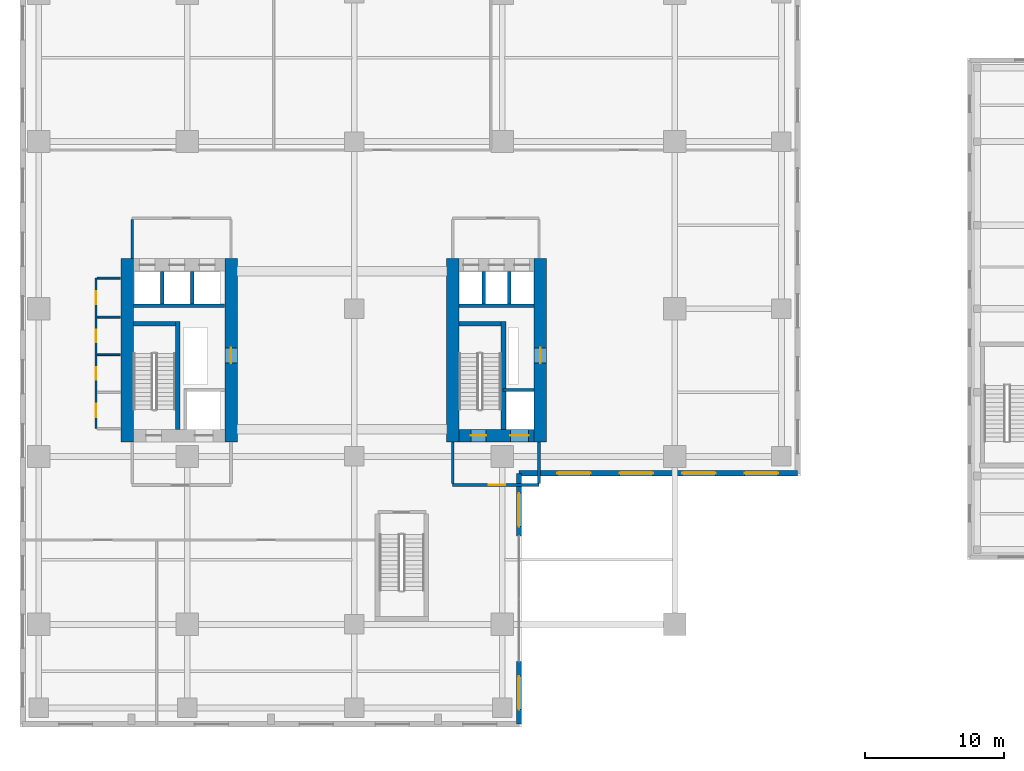
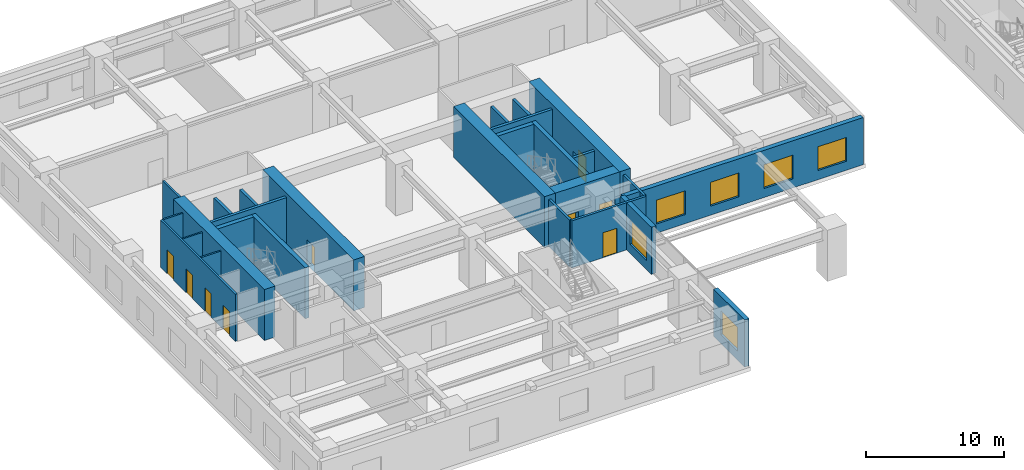
# One storey, part 20 of 26: 27 walls, 9 doors, 6 windows, 15 openings.
"""IFC4 building model written with IfcOpenShell, lengths in metres."""

from ifc_helpers import new_model, si_unit, direction, frame, frame_2d, origin, place, context, subcontext, project, spatial, rectangle, extrude, source, transform, mapped, material, layer, layer_set, type_object, element, fill, save


model = new_model("IFC4")

# Units and contexts
model_context = context("Model", 3, precision=1e-05, world=origin(), true_north=direction((0.0, 1.0)))
body_context = subcontext(model_context, "Body", "Model", "MODEL_VIEW")
ifc_project = project(units=[si_unit("LENGTHUNIT", "METRE"), si_unit("AREAUNIT", "SQUARE_METRE"), si_unit("VOLUMEUNIT", "CUBIC_METRE"), si_unit("PLANEANGLEUNIT", "RADIAN"), si_unit("MASSUNIT", "GRAM", prefix="KILO")], contexts=[model_context])

# Site, building, storey
site_placement = place(None, origin())
site = spatial("IfcSite", under=ifc_project, at=site_placement, CompositionType="ELEMENT")
building_placement = place(site_placement, origin())
building = spatial("IfcBuilding", under=site, at=building_placement, Name="Khoralis Quay Care Tower", CompositionType="ELEMENT")
storey_placement = place(building_placement, frame((0.0, 0.0, 13.5)))
storey = spatial("IfcBuildingStorey", under=building, at=storey_placement, Name="L03", CompositionType="ELEMENT", Elevation=13.5)

# Wall, opening, door
ifc_material_1 = material(Name="Gypsum plasterboard on acoustic metal stud")
ifc_layer_1 = layer(ifc_material_1, 0.199951171875)
ifc_layer_set_1 = layer_set([ifc_layer_1], Name="Gypsum plasterboard on acoustic metal stud")
wall_type_1 = type_object("IfcWallType", Name="WL-COMP-200", PredefinedType="PARTITIONING", material=ifc_layer_set_1)
wall_1_placement = place(storey_placement, frame((31.050048828125, 11.35009765625, 0.0), z_axis=(0.0, 0.0, 1.0), x_axis=(1.0, 0.0, 0.0)))
wall_1 = element("IfcWall", 1, at=wall_1_placement, inside=storey, type_object=wall_type_1, Name="L03 East Firefighting Lobby South Wall", PredefinedType="PARTITIONING", context=body_context, shape_type="SweptSolid", body=[
    extrude(rectangle(XDim=6.199951171875, YDim=0.199951171875, at=frame_2d((3.10009765625, 0.0))), origin(), (0.0, 0.0, 1.0), 4.159912109375),
])
opening_1_placement = place(wall_1_placement, frame((2.585693359375, 0.0, 0.0)))
opening_1 = element("IfcOpeningElement", 2, at=opening_1_placement, cuts=wall_1, Name="Opening FD1", PredefinedType="OPENING", context=body_context, shape_type="SweptSolid", body=[
    extrude(rectangle(XDim=1.199951171875, YDim=2.199951171875, at=frame_2d((0.60009765625, 1.10009765625))), frame((0.0, 0.10986328125, 0.0), z_axis=(0.0, -1.0, 0.0), x_axis=(1.0, 0.0, 0.0)), (0.0, 0.0, 1.0), 0.219970703125),
])
ifc_material_2 = material(Name="Fire-rated painted steel", Category="steel")
door_type_1 = type_object("IfcDoorType", Name="DR-FFL-1200X2200", OperationType="NOTDEFINED", PredefinedType="DOOR", material=ifc_material_2)
shared_shape_1 = source(origin(), body_context, "Body", "SweptSolid", [
    extrude(rectangle(XDim=1.199951171875, YDim=2.199951171875, at=frame_2d((0.60009765625, 1.10009765625))), frame((0.0, 0.02490234375, 0.0), z_axis=(0.0, -1.0, 0.0), x_axis=(1.0, 0.0, 0.0)), (0.0, 0.0, 1.0), 0.050048828125),
])
door_1_placement = place(opening_1_placement, origin())
door_1 = element("IfcDoor", 3, at=door_1_placement, inside=storey, type_object=door_type_1, Name="L03 East Firefighting Lobby Fire Door", OperationType="SINGLE_SWING_RIGHT", OverallHeight=2.199951171875, OverallWidth=1.199951171875, PredefinedType="DOOR", context=body_context, shape_type="MappedRepresentation", body=[
    mapped(shared_shape_1, transform((0.0, 0.0, 0.0), scale=1.0)),
])
fill(opening_1, door_1)

# Walls
for number, where, z_axis, x_axis, name in (
    (4, (31.050048828125, 11.445068359375, 0.0), (0.0, 0.0, 1.0), (0.0, 1.0, 0.0), "L03 East Firefighting Lobby West Wall"),
    (5, (37.25, 11.445068359375, 0.0), (0.0, 0.0, 1.0), (0.0, 1.0, 0.0), "L03 East Firefighting Lobby East Wall"),
):
    element("IfcWall", number, at=place(storey_placement, frame(where, z_axis=z_axis, x_axis=x_axis)), inside=storey, type_object=wall_type_1, Name=name, PredefinedType="PARTITIONING", context=body_context, shape_type="SweptSolid", body=[
        extrude(rectangle(XDim=2.98486328125, YDim=0.199951171875, at=frame_2d((1.492431640625, 0.0))), origin(), (0.0, 0.0, 1.0), 4.159912109375),
    ])
ifc_material_3 = material(Name="Concrete C80/95", Category="concrete")
ifc_layer_2 = layer(ifc_material_3, 0.89990234375)
ifc_layer_set_2 = layer_set([ifc_layer_2], Name="Concrete C80/95")
wall_type_2 = type_object("IfcWallType", Name="WL-CORE-900", PredefinedType="SHEAR", material=ifc_layer_set_2)
wall_2_placement = place(storey_placement, frame((7.699951171875, 14.449951171875, 0.0), z_axis=(0.0, 0.0, 1.0), x_axis=(0.0, 1.0, 0.0)))
element("IfcWall", 6, at=wall_2_placement, inside=storey, type_object=wall_type_2, Name="L03 WCORE West Shear Wall", PredefinedType="SHEAR", context=body_context, shape_type="SweptSolid", body=[
    extrude(rectangle(XDim=13.150146484375, YDim=0.89990234375, at=frame_2d((6.5751953125, 0.0))), origin(), (0.0, 0.0, 1.0), 4.5),
])

# Wall, opening, door
wall_3_placement = place(storey_placement, frame((15.14990234375, 14.449951171875, 0.0), z_axis=(0.0, 0.0, 1.0), x_axis=(0.0, 1.0, 0.0)))
wall_3 = element("IfcWall", 7, at=wall_3_placement, inside=storey, type_object=wall_type_2, Name="L03 WCORE East Shear Wall", PredefinedType="SHEAR", context=body_context, shape_type="SweptSolid", body=[
    extrude(rectangle(XDim=13.150146484375, YDim=0.89990234375, at=frame_2d((6.5751953125, 0.0))), origin(), (0.0, 0.0, 1.0), 4.5),
])
opening_2_placement = place(wall_3_placement, frame((5.64990234375, 0.0, 0.0)))
opening_2 = element("IfcOpeningElement", 8, at=opening_2_placement, cuts=wall_3, Name="Opening SD1", PredefinedType="OPENING", context=body_context, shape_type="SweptSolid", body=[
    extrude(rectangle(XDim=1.10009765625, YDim=2.199951171875, at=frame_2d((0.550048828125, 1.10009765625))), frame((0.0, 0.4599609375, 0.0), z_axis=(0.0, -1.0, 0.0), x_axis=(1.0, 0.0, 0.0)), (0.0, 0.0, 1.0), 0.919921875),
])
door_type_2 = type_object("IfcDoorType", Name="DR-STAIR-1100X2200", OperationType="NOTDEFINED", PredefinedType="DOOR", material=ifc_material_2)
shared_shape_2 = source(origin(), body_context, "Body", "SweptSolid", [
    extrude(rectangle(XDim=1.10009765625, YDim=2.199951171875, at=frame_2d((0.550048828125, 1.10009765625))), frame((0.0, 0.02490234375, 0.0), z_axis=(0.0, -1.0, 0.0), x_axis=(1.0, 0.0, 0.0)), (0.0, 0.0, 1.0), 0.050048828125),
])
door_2_placement = place(opening_2_placement, origin())
door_2 = element("IfcDoor", 9, at=door_2_placement, inside=storey, type_object=door_type_2, Name="L03 West MEP Riser Door", OperationType="SINGLE_SWING_LEFT", OverallHeight=2.199951171875, OverallWidth=1.10009765625, PredefinedType="DOOR", context=body_context, shape_type="MappedRepresentation", body=[
    mapped(shared_shape_2, transform((0.0, 0.0, 0.0), scale=1.0)),
])
fill(opening_2, door_2)

# Wall
wall_4_placement = place(storey_placement, frame((31.070068359375, 14.449951171875, 0.0), z_axis=(0.0, 0.0, 1.0), x_axis=(0.0, 1.0, 0.0)))
element("IfcWall", 10, at=wall_4_placement, inside=storey, type_object=wall_type_2, Name="L03 ECORE West Shear Wall", PredefinedType="SHEAR", context=body_context, shape_type="SweptSolid", body=[
    extrude(rectangle(XDim=13.150146484375, YDim=0.89990234375, at=frame_2d((6.5751953125, 0.0))), origin(), (0.0, 0.0, 1.0), 4.5),
])

# Wall, opening, door
wall_5_placement = place(storey_placement, frame((37.35009765625, 14.449951171875, 0.0), z_axis=(0.0, 0.0, 1.0), x_axis=(0.0, 1.0, 0.0)))
wall_5 = element("IfcWall", 11, at=wall_5_placement, inside=storey, type_object=wall_type_2, Name="L03 ECORE East Shear Wall", PredefinedType="SHEAR", context=body_context, shape_type="SweptSolid", body=[
    extrude(rectangle(XDim=13.150146484375, YDim=0.89990234375, at=frame_2d((6.5751953125, 0.0))), origin(), (0.0, 0.0, 1.0), 4.5),
])
opening_3_placement = place(wall_5_placement, frame((5.64990234375, 0.0, 0.0)))
opening_3 = element("IfcOpeningElement", 12, at=opening_3_placement, cuts=wall_5, Name="Opening SD1", PredefinedType="OPENING", context=body_context, shape_type="SweptSolid", body=[
    extrude(rectangle(XDim=1.10009765625, YDim=2.199951171875, at=frame_2d((0.550048828125, 1.10009765625))), frame((0.0, 0.4599609375, 0.0), z_axis=(0.0, -1.0, 0.0), x_axis=(1.0, 0.0, 0.0)), (0.0, 0.0, 1.0), 0.919921875),
])
door_3_placement = place(opening_3_placement, frame((1.10009765625, 0.0, 0.0), z_axis=(0.0, 0.0, 1.0), x_axis=(-1.0, 0.0, 0.0)))
door_3 = element("IfcDoor", 13, at=door_3_placement, inside=storey, type_object=door_type_2, Name="L03 East MEP Riser Door", OperationType="SINGLE_SWING_RIGHT", OverallHeight=2.199951171875, OverallWidth=1.10009765625, PredefinedType="DOOR", context=body_context, shape_type="MappedRepresentation", body=[
    mapped(shared_shape_2, transform((0.0, 0.0, 0.0), scale=1.0)),
])
fill(opening_3, door_3)

# Wall, openings, doors
wall_6_placement = place(storey_placement, frame((31.52001953125, 14.89990234375, 0.0), z_axis=(0.0, 0.0, 1.0), x_axis=(1.0, 0.0, 0.0)))
wall_6 = element("IfcWall", 14, at=wall_6_placement, inside=storey, type_object=wall_type_2, Name="L03 ECORE South Shear Wall", PredefinedType="SHEAR", context=body_context, shape_type="SweptSolid", body=[
    extrude(rectangle(XDim=5.3798828125, YDim=0.89990234375, at=frame_2d((2.68994140625, 0.0))), origin(), (0.0, 0.0, 1.0), 4.5),
])
opening_4_placement = place(wall_6_placement, frame((0.830078125, 0.0, 0.0)))
opening_4 = element("IfcOpeningElement", 15, at=opening_4_placement, cuts=wall_6, Name="Opening SD1", PredefinedType="OPENING", context=body_context, shape_type="SweptSolid", body=[
    extrude(rectangle(XDim=1.10009765625, YDim=2.199951171875, at=frame_2d((0.550048828125, 1.10009765625))), frame((0.0, 0.4599609375, 0.0), z_axis=(0.0, -1.0, 0.0), x_axis=(1.0, 0.0, 0.0)), (0.0, 0.0, 1.0), 0.919921875),
])
opening_5_placement = place(wall_6_placement, frame((3.679931640625, 0.0, 0.0)))
opening_5 = element("IfcOpeningElement", 16, at=opening_5_placement, cuts=wall_6, Name="Opening LD2", PredefinedType="OPENING", context=body_context, shape_type="SweptSolid", body=[
    extrude(rectangle(XDim=1.300048828125, YDim=2.199951171875, at=frame_2d((0.64990234375, 1.10009765625))), frame((0.0, 0.4599609375, 0.0), z_axis=(0.0, -1.0, 0.0), x_axis=(1.0, 0.0, 0.0)), (0.0, 0.0, 1.0), 0.919921875),
])
door_4_placement = place(opening_4_placement, origin())
door_4 = element("IfcDoor", 17, at=door_4_placement, inside=storey, type_object=door_type_2, Name="L03 Stair ST-T2 Fire Door", OperationType="SINGLE_SWING_RIGHT", OverallHeight=2.199951171875, OverallWidth=1.10009765625, PredefinedType="DOOR", context=body_context, shape_type="MappedRepresentation", body=[
    mapped(shared_shape_2, transform((0.0, 0.0, 0.0), scale=1.0)),
])
fill(opening_4, door_4)
ifc_material_4 = material(Name="Brushed stainless steel", Category="steel")
door_type_3 = type_object("IfcDoorType", Name="DR-LIFT-1300X2200", OperationType="SLIDING_TO_RIGHT", PredefinedType="DOOR", material=ifc_material_4)
shared_shape_3 = source(origin(), body_context, "Body", "SweptSolid", [
    extrude(rectangle(XDim=1.300048828125, YDim=2.199951171875, at=frame_2d((0.64990234375, 1.10009765625))), frame((0.0, 0.02490234375, 0.0), z_axis=(0.0, -1.0, 0.0), x_axis=(1.0, 0.0, 0.0)), (0.0, 0.0, 1.0), 0.050048828125),
])
door_5_placement = place(opening_5_placement, origin())
door_5 = element("IfcDoor", 18, at=door_5_placement, inside=storey, type_object=door_type_3, Name="L03 Firefighting Lift FFL-2 Landing Door", OperationType="SLIDING_TO_RIGHT", OverallHeight=2.199951171875, OverallWidth=1.300048828125, PredefinedType="DOOR", context=body_context, shape_type="MappedRepresentation", body=[
    mapped(shared_shape_3, transform((0.0, 0.0, 0.0), scale=1.0)),
])
fill(opening_5, door_5)

# Wall
ifc_layer_3 = layer(ifc_material_1, 0.1650390625)
ifc_layer_set_3 = layer_set([ifc_layer_3], Name="Gypsum plasterboard on acoustic metal stud")
wall_type_3 = type_object("IfcWallType", Name="WL-CORR-165", PredefinedType="PARTITIONING", material=ifc_layer_set_3)
wall_7_placement = place(storey_placement, frame((8.050048828125, 27.6201171875, 0.0), z_axis=(0.0, 0.0, 1.0), x_axis=(0.0, 1.0, 0.0)))
element("IfcWall", 19, at=wall_7_placement, inside=storey, type_object=wall_type_3, Name="L03 West Lift Lobby West Wall", PredefinedType="PARTITIONING", context=body_context, shape_type="SweptSolid", body=[
    extrude(rectangle(XDim=2.802490234375, YDim=0.1650390625, at=frame_2d((1.4013671875, 0.0))), origin(), (0.0, 0.0, 1.0), 4.159912109375),
])

# Wall, openings, doors
wall_8_placement = place(storey_placement, frame((5.449951171875, 15.39990234375, 0.0), z_axis=(0.0, 0.0, 1.0), x_axis=(0.0, 1.0, 0.0)))
wall_8 = element("IfcWall", 20, at=wall_8_placement, inside=storey, type_object=wall_type_3, Name="L03 West Core Service Flank Wall", PredefinedType="PARTITIONING", context=body_context, shape_type="SweptSolid", body=[
    extrude(rectangle(XDim=10.800048828125, YDim=0.1650390625, at=frame_2d((5.39990234375, 0.0))), origin(), (0.0, 0.0, 1.0), 4.159912109375),
])
opening_6_placement = place(wall_8_placement, frame((0.824951171875, 0.0, 0.0)))
opening_6 = element("IfcOpeningElement", 21, at=opening_6_placement, cuts=wall_8, Name="Opening ID1", PredefinedType="OPENING", context=body_context, shape_type="SweptSolid", body=[
    extrude(rectangle(XDim=0.949951171875, YDim=2.10009765625, at=frame_2d((0.47509765625, 1.050048828125))), frame((0.0, 0.092529296875, 0.0), z_axis=(0.0, -1.0, 0.0), x_axis=(1.0, 0.0, 0.0)), (0.0, 0.0, 1.0), 0.18505859375),
])
opening_7_placement = place(wall_8_placement, frame((3.5, 0.0, 0.0)))
opening_7 = element("IfcOpeningElement", 22, at=opening_7_placement, cuts=wall_8, Name="Opening WD1", PredefinedType="OPENING", context=body_context, shape_type="SweptSolid", body=[
    extrude(rectangle(XDim=0.89990234375, YDim=2.10009765625, at=frame_2d((0.449951171875, 1.050048828125))), frame((0.0, 0.092529296875, 0.0), z_axis=(0.0, -1.0, 0.0), x_axis=(1.0, 0.0, 0.0)), (0.0, 0.0, 1.0), 0.18505859375),
])
opening_8_placement = place(wall_8_placement, frame((6.199951171875, 0.0, 0.0)))
opening_8 = element("IfcOpeningElement", 23, at=opening_8_placement, cuts=wall_8, Name="Opening WD1", PredefinedType="OPENING", context=body_context, shape_type="SweptSolid", body=[
    extrude(rectangle(XDim=0.89990234375, YDim=2.10009765625, at=frame_2d((0.449951171875, 1.050048828125))), frame((0.0, 0.092529296875, 0.0), z_axis=(0.0, -1.0, 0.0), x_axis=(1.0, 0.0, 0.0)), (0.0, 0.0, 1.0), 0.18505859375),
])
opening_9_placement = place(wall_8_placement, frame((8.925048828125, 0.0, 0.0)))
opening_9 = element("IfcOpeningElement", 24, at=opening_9_placement, cuts=wall_8, Name="Opening ID1", PredefinedType="OPENING", context=body_context, shape_type="SweptSolid", body=[
    extrude(rectangle(XDim=0.949951171875, YDim=2.10009765625, at=frame_2d((0.47509765625, 1.050048828125))), frame((0.0, 0.092529296875, 0.0), z_axis=(0.0, -1.0, 0.0), x_axis=(1.0, 0.0, 0.0)), (0.0, 0.0, 1.0), 0.18505859375),
])
ifc_material_5 = material(Name="Acoustic hardwood timber", Category="wood")
door_type_4 = type_object("IfcDoorType", Name="DR-BATH-900X2100", OperationType="NOTDEFINED", PredefinedType="DOOR", material=ifc_material_5)
shared_shape_4 = source(origin(), body_context, "Body", "SweptSolid", [
    extrude(rectangle(XDim=0.89990234375, YDim=2.10009765625, at=frame_2d((0.449951171875, 1.050048828125))), frame((0.0, 0.02490234375, 0.0), z_axis=(0.0, -1.0, 0.0), x_axis=(1.0, 0.0, 0.0)), (0.0, 0.0, 1.0), 0.050048828125),
])
door_6_placement = place(opening_7_placement, frame((0.89990234375, 0.0, 0.0), z_axis=(0.0, 0.0, 1.0), x_axis=(-1.0, 0.0, 0.0)))
door_6 = element("IfcDoor", 25, at=door_6_placement, inside=storey, type_object=door_type_4, Name="L03 Public Accessible WC Door", OperationType="SINGLE_SWING_LEFT", OverallHeight=2.10009765625, OverallWidth=0.89990234375, PredefinedType="DOOR", context=body_context, shape_type="MappedRepresentation", body=[
    mapped(shared_shape_4, transform((0.0, 0.0, 0.0), scale=1.0)),
])
fill(opening_7, door_6)
door_7_placement = place(opening_8_placement, frame((0.89990234375, 0.0, 0.0), z_axis=(0.0, 0.0, 1.0), x_axis=(-1.0, 0.0, 0.0)))
door_7 = element("IfcDoor", 26, at=door_7_placement, inside=storey, type_object=door_type_4, Name="L03 Staff Accessible WC Door", OperationType="SINGLE_SWING_RIGHT", OverallHeight=2.10009765625, OverallWidth=0.89990234375, PredefinedType="DOOR", context=body_context, shape_type="MappedRepresentation", body=[
    mapped(shared_shape_4, transform((0.0, 0.0, 0.0), scale=1.0)),
])
fill(opening_8, door_7)
door_type_5 = type_object("IfcDoorType", Name="DR-ROOM-950X2100", OperationType="NOTDEFINED", PredefinedType="DOOR", material=ifc_material_5)
shared_shape_5 = source(origin(), body_context, "Body", "SweptSolid", [
    extrude(rectangle(XDim=0.949951171875, YDim=2.10009765625, at=frame_2d((0.47509765625, 1.050048828125))), frame((0.0, 0.02490234375, 0.0), z_axis=(0.0, -1.0, 0.0), x_axis=(1.0, 0.0, 0.0)), (0.0, 0.0, 1.0), 0.050048828125),
])
door_8_placement = place(opening_6_placement, frame((0.949951171875, 0.0, 0.0), z_axis=(0.0, 0.0, 1.0), x_axis=(-1.0, 0.0, 0.0)))
door_8 = element("IfcDoor", 27, at=door_8_placement, inside=storey, type_object=door_type_5, Name="L03 Housekeeping Store Door", OperationType="SINGLE_SWING_RIGHT", OverallHeight=2.10009765625, OverallWidth=0.949951171875, PredefinedType="DOOR", context=body_context, shape_type="MappedRepresentation", body=[
    mapped(shared_shape_5, transform((0.0, 0.0, 0.0), scale=1.0)),
])
fill(opening_6, door_8)
door_9_placement = place(opening_9_placement, frame((0.949951171875, 0.0, 0.0), z_axis=(0.0, 0.0, 1.0), x_axis=(-1.0, 0.0, 0.0)))
door_9 = element("IfcDoor", 28, at=door_9_placement, inside=storey, type_object=door_type_5, Name="L03 Telecom IDF Room Door", OperationType="SINGLE_SWING_LEFT", OverallHeight=2.10009765625, OverallWidth=0.949951171875, PredefinedType="DOOR", context=body_context, shape_type="MappedRepresentation", body=[
    mapped(shared_shape_5, transform((0.0, 0.0, 0.0), scale=1.0)),
])
fill(opening_9, door_9)

# Wall, opening, window
ifc_material_6 = material(Name="Precast concrete C45/55", Category="concrete")
ifc_layer_4 = layer(ifc_material_6, 0.3798828125)
ifc_layer_set_4 = layer_set([ifc_layer_4], Name="Precast concrete C45/55")
wall_type_4 = type_object("IfcWallType", Name="WL-EXT-POD-380", PredefinedType="SOLIDWALL", material=ifc_layer_set_4)
wall_9_placement = place(storey_placement, frame((35.81005859375, -5.81005859375, 0.0), z_axis=(0.0, 0.0, 1.0), x_axis=(0.0, 1.0, 0.0)))
wall_9 = element("IfcWall", 29, at=wall_9_placement, inside=storey, type_object=wall_type_4, Name="L03 External Facade Wall WL-POD-L03-E1A", PredefinedType="SOLIDWALL", context=body_context, shape_type="SweptSolid", body=[
    extrude(rectangle(XDim=4.5, YDim=0.3798828125, at=frame_2d((2.25, 0.0))), origin(), (0.0, 0.0, 1.0), 4.159912109375),
])
opening_10_placement = place(wall_9_placement, frame((1.050048828125, 0.0, 0.800048828125)))
opening_10 = element("IfcOpeningElement", 30, at=opening_10_placement, cuts=wall_9, Name="Opening W1", PredefinedType="OPENING", context=body_context, shape_type="SweptSolid", body=[
    extrude(rectangle(XDim=2.39990234375, YDim=2.10009765625, at=frame_2d((1.199951171875, 1.050048828125))), frame((0.0, 0.199951171875, 0.0), z_axis=(0.0, -1.0, 0.0), x_axis=(1.0, 0.0, 0.0)), (0.0, 0.0, 1.0), 0.39990234375),
])
ifc_material_7 = material(Name="Low-E solar-control double glazing", Category="glass")
window_type = type_object("IfcWindowType", Name="WN-POD-2400X2100", PartitioningType="SINGLE_PANEL", PredefinedType="WINDOW", material=ifc_material_7)
shared_shape_6 = source(origin(), body_context, "Body", "SweptSolid", [
    extrude(rectangle(XDim=2.39990234375, YDim=2.10009765625, at=frame_2d((1.199951171875, 1.050048828125))), frame((0.0, 0.030029296875, 0.0), z_axis=(0.0, -1.0, 0.0), x_axis=(1.0, 0.0, 0.0)), (0.0, 0.0, 1.0), 0.06005859375),
])
window_1_placement = place(opening_10_placement, origin())
window_1 = element("IfcWindow", 31, at=window_1_placement, inside=storey, type_object=window_type, Name="WN-POD-L03-1A Facade Window 01", OverallHeight=2.10009765625, OverallWidth=2.39990234375, PartitioningType="SINGLE_PANEL", PredefinedType="WINDOW", context=body_context, shape_type="MappedRepresentation", body=[
    mapped(shared_shape_6, transform((0.0, 0.0, 0.0), scale=1.0)),
])
fill(opening_10, window_1)

wall_10_placement = place(storey_placement, frame((35.81005859375, 7.68994140625, 0.0), z_axis=(0.0, 0.0, 1.0), x_axis=(0.0, 1.0, 0.0)))
wall_10 = element("IfcWall", 32, at=wall_10_placement, inside=storey, type_object=wall_type_4, Name="L03 External Facade Wall WL-POD-L03-E1B", PredefinedType="SOLIDWALL", context=body_context, shape_type="SweptSolid", body=[
    extrude(rectangle(XDim=4.5, YDim=0.3798828125, at=frame_2d((2.25, 0.0))), origin(), (0.0, 0.0, 1.0), 4.159912109375),
])
opening_11_placement = place(wall_10_placement, frame((0.679931640625, 0.0, 0.800048828125)))
opening_11 = element("IfcOpeningElement", 33, at=opening_11_placement, cuts=wall_10, Name="Opening W1", PredefinedType="OPENING", context=body_context, shape_type="SweptSolid", body=[
    extrude(rectangle(XDim=2.39990234375, YDim=2.10009765625, at=frame_2d((1.199951171875, 1.050048828125))), frame((0.0, 0.199951171875, 0.0), z_axis=(0.0, -1.0, 0.0), x_axis=(1.0, 0.0, 0.0)), (0.0, 0.0, 1.0), 0.39990234375),
])
window_2_placement = place(opening_11_placement, origin())
window_2 = element("IfcWindow", 34, at=window_2_placement, inside=storey, type_object=window_type, Name="WN-POD-L03-1B Facade Window 01", OverallHeight=2.10009765625, OverallWidth=2.39990234375, PartitioningType="SINGLE_PANEL", PredefinedType="WINDOW", context=body_context, shape_type="MappedRepresentation", body=[
    mapped(shared_shape_6, transform((0.0, 0.0, 0.0), scale=1.0)),
])
fill(opening_11, window_2)

# Wall, openings, windows
wall_11_placement = place(storey_placement, frame((35.81005859375, 12.18994140625, 0.0), z_axis=(0.0, 0.0, 1.0), x_axis=(1.0, 0.0, 0.0)))
wall_11 = element("IfcWall", 35, at=wall_11_placement, inside=storey, type_object=wall_type_4, Name="L03 External Facade Wall WL-POD-L03-E2", PredefinedType="SOLIDWALL", context=body_context, shape_type="SweptSolid", body=[
    extrude(rectangle(XDim=20.0, YDim=0.3798828125, at=frame_2d((10.0, 0.0))), origin(), (0.0, 0.0, 1.0), 4.159912109375),
])
opening_12_placement = place(wall_11_placement, frame((2.742431640625, 0.0, 0.800048828125)))
opening_12 = element("IfcOpeningElement", 36, at=opening_12_placement, cuts=wall_11, Name="Opening W1", PredefinedType="OPENING", context=body_context, shape_type="SweptSolid", body=[
    extrude(rectangle(XDim=2.39990234375, YDim=2.10009765625, at=frame_2d((1.199951171875, 1.050048828125))), frame((0.0, 0.199951171875, 0.0), z_axis=(0.0, -1.0, 0.0), x_axis=(1.0, 0.0, 0.0)), (0.0, 0.0, 1.0), 0.39990234375),
])
opening_13_placement = place(wall_11_placement, frame((7.2275390625, 0.0, 0.800048828125)))
opening_13 = element("IfcOpeningElement", 37, at=opening_13_placement, cuts=wall_11, Name="Opening W1", PredefinedType="OPENING", context=body_context, shape_type="SweptSolid", body=[
    extrude(rectangle(XDim=2.39990234375, YDim=2.10009765625, at=frame_2d((1.199951171875, 1.050048828125))), frame((0.0, 0.199951171875, 0.0), z_axis=(0.0, -1.0, 0.0), x_axis=(1.0, 0.0, 0.0)), (0.0, 0.0, 1.0), 0.39990234375),
])
opening_14_placement = place(wall_11_placement, frame((11.71240234375, 0.0, 0.800048828125)))
opening_14 = element("IfcOpeningElement", 38, at=opening_14_placement, cuts=wall_11, Name="Opening W1", PredefinedType="OPENING", context=body_context, shape_type="SweptSolid", body=[
    extrude(rectangle(XDim=2.39990234375, YDim=2.10009765625, at=frame_2d((1.199951171875, 1.050048828125))), frame((0.0, 0.199951171875, 0.0), z_axis=(0.0, -1.0, 0.0), x_axis=(1.0, 0.0, 0.0)), (0.0, 0.0, 1.0), 0.39990234375),
])
opening_15_placement = place(wall_11_placement, frame((16.197509765625, 0.0, 0.800048828125)))
opening_15 = element("IfcOpeningElement", 39, at=opening_15_placement, cuts=wall_11, Name="Opening W1", PredefinedType="OPENING", context=body_context, shape_type="SweptSolid", body=[
    extrude(rectangle(XDim=2.39990234375, YDim=2.10009765625, at=frame_2d((1.199951171875, 1.050048828125))), frame((0.0, 0.199951171875, 0.0), z_axis=(0.0, -1.0, 0.0), x_axis=(1.0, 0.0, 0.0)), (0.0, 0.0, 1.0), 0.39990234375),
])
window_3_placement = place(opening_12_placement, origin())
window_3 = element("IfcWindow", 40, at=window_3_placement, inside=storey, type_object=window_type, Name="WN-POD-L03-E2 Facade Window 01", OverallHeight=2.10009765625, OverallWidth=2.39990234375, PartitioningType="SINGLE_PANEL", PredefinedType="WINDOW", context=body_context, shape_type="MappedRepresentation", body=[
    mapped(shared_shape_6, transform((0.0, 0.0, 0.0), scale=1.0)),
])
fill(opening_12, window_3)
window_4_placement = place(opening_13_placement, origin())
window_4 = element("IfcWindow", 41, at=window_4_placement, inside=storey, type_object=window_type, Name="WN-POD-L03-E2 Facade Window 02", OverallHeight=2.10009765625, OverallWidth=2.39990234375, PartitioningType="SINGLE_PANEL", PredefinedType="WINDOW", context=body_context, shape_type="MappedRepresentation", body=[
    mapped(shared_shape_6, transform((0.0, 0.0, 0.0), scale=1.0)),
])
fill(opening_13, window_4)
window_5_placement = place(opening_14_placement, origin())
window_5 = element("IfcWindow", 42, at=window_5_placement, inside=storey, type_object=window_type, Name="WN-POD-L03-E2 Facade Window 03", OverallHeight=2.10009765625, OverallWidth=2.39990234375, PartitioningType="SINGLE_PANEL", PredefinedType="WINDOW", context=body_context, shape_type="MappedRepresentation", body=[
    mapped(shared_shape_6, transform((0.0, 0.0, 0.0), scale=1.0)),
])
fill(opening_14, window_5)
window_6_placement = place(opening_15_placement, origin())
window_6 = element("IfcWindow", 43, at=window_6_placement, inside=storey, type_object=window_type, Name="WN-POD-L03-E2 Facade Window 04", OverallHeight=2.10009765625, OverallWidth=2.39990234375, PartitioningType="SINGLE_PANEL", PredefinedType="WINDOW", context=body_context, shape_type="MappedRepresentation", body=[
    mapped(shared_shape_6, transform((0.0, 0.0, 0.0), scale=1.0)),
])
fill(opening_15, window_6)

# Walls
ifc_material_8 = material(Name="Moisture-resistant gypsum and ceramic tile")
ifc_layer_5 = layer(ifc_material_8, 0.280029296875)
ifc_layer_set_5 = layer_set([ifc_layer_5], Name="Moisture-resistant gypsum and ceramic tile")
wall_type_5 = type_object("IfcWallType", Name="WL-PLUMB-280", PredefinedType="PLUMBINGWALL", material=ifc_layer_set_5)
wall_12_placement = place(storey_placement, frame((5.527587890625, 20.699951171875, 0.0), z_axis=(0.0, 0.0, 1.0), x_axis=(1.0, 0.0, 0.0)))
element("IfcWall", 44, at=wall_12_placement, inside=storey, type_object=wall_type_5, Name="L03 West Flank Divider 2", PredefinedType="PLUMBINGWALL", context=body_context, shape_type="SweptSolid", body=[
    extrude(rectangle(XDim=1.682373046875, YDim=0.139892578125, at=frame_2d((0.84130859375, 0.0))), origin(), (0.0, 0.0, 1.0), 4.159912109375),
])
ifc_material_9 = material(Name="Concrete C40/50", Category="concrete")
ifc_layer_6 = layer(ifc_material_9, 0.35009765625)
ifc_layer_set_6 = layer_set([ifc_layer_6], Name="Concrete C40/50")
wall_type_6 = type_object("IfcWallType", Name="WL-SC-CORE-350", PredefinedType="SHEAR", material=ifc_layer_set_6)
wall_13_placement = place(storey_placement, frame((11.324951171875, 15.35009765625, 0.0), z_axis=(0.0, 0.0, 1.0), x_axis=(0.0, 1.0, 0.0)))
element("IfcWall", 45, at=wall_13_placement, inside=storey, type_object=wall_type_6, Name="L03 Stair ST-T1 Shear Baffle Wall East", PredefinedType="SHEAR", context=body_context, shape_type="SweptSolid", body=[
    extrude(rectangle(XDim=7.75, YDim=0.35009765625, at=frame_2d((3.875, 0.0))), origin(), (0.0, 0.0, 1.0), 4.5),
])
wall_14_placement = place(storey_placement, frame((8.14990234375, 22.925048828125, 0.0), z_axis=(0.0, 0.0, 1.0), x_axis=(1.0, 0.0, 0.0)))
element("IfcWall", 46, at=wall_14_placement, inside=storey, type_object=wall_type_6, Name="L03 Stair ST-T1 Shear Baffle Wall North", PredefinedType="SHEAR", context=body_context, shape_type="SweptSolid", body=[
    extrude(rectangle(XDim=3.0, YDim=0.35009765625, at=frame_2d((1.5, 0.0))), origin(), (0.0, 0.0, 1.0), 4.5),
])
wall_15_placement = place(storey_placement, frame((34.695068359375, 15.35009765625, 0.0), z_axis=(0.0, 0.0, 1.0), x_axis=(0.0, 1.0, 0.0)))
element("IfcWall", 47, at=wall_15_placement, inside=storey, type_object=wall_type_6, Name="L03 Stair ST-T2 Shear Baffle Wall East", PredefinedType="SHEAR", context=body_context, shape_type="SweptSolid", body=[
    extrude(rectangle(XDim=7.75, YDim=0.35009765625, at=frame_2d((3.875, 0.0))), origin(), (0.0, 0.0, 1.0), 4.5),
])
wall_16_placement = place(storey_placement, frame((31.52001953125, 22.925048828125, 0.0), z_axis=(0.0, 0.0, 1.0), x_axis=(1.0, 0.0, 0.0)))
element("IfcWall", 48, at=wall_16_placement, inside=storey, type_object=wall_type_6, Name="L03 Stair ST-T2 Shear Baffle Wall North", PredefinedType="SHEAR", context=body_context, shape_type="SweptSolid", body=[
    extrude(rectangle(XDim=3.0, YDim=0.35009765625, at=frame_2d((1.5, 0.0))), origin(), (0.0, 0.0, 1.0), 4.5),
])
ifc_layer_7 = layer(ifc_material_1, 0.239990234375)
ifc_layer_set_7 = layer_set([ifc_layer_7], Name="Gypsum plasterboard on acoustic metal stud")
wall_type_7 = type_object("IfcWallType", Name="WL-SHAFT-240", PredefinedType="PARTITIONING", material=ifc_layer_set_7)
wall_17_placement = place(storey_placement, frame((34.679931640625, 18.169921875, 0.0), z_axis=(0.0, 0.0, 1.0), x_axis=(1.0, 0.0, 0.0)))
element("IfcWall", 49, at=wall_17_placement, inside=storey, type_object=wall_type_7, Name="L03 FFL-2 Shaft Wall North", PredefinedType="PARTITIONING", context=body_context, shape_type="SweptSolid", body=[
    extrude(rectangle(XDim=2.199951171875, YDim=0.239990234375, at=frame_2d((1.10009765625, 0.0))), origin(), (0.0, 0.0, 1.0), 4.159912109375),
])
wall_18_placement = place(storey_placement, frame((8.14990234375, 24.22998046875, 0.0), z_axis=(0.0, 0.0, 1.0), x_axis=(1.0, 0.0, 0.0)))
element("IfcWall", 50, at=wall_18_placement, inside=storey, type_object=wall_type_7, Name="L03 West Passenger Shaft South Wall", PredefinedType="PARTITIONING", context=body_context, shape_type="SweptSolid", body=[
    extrude(rectangle(XDim=6.530029296875, YDim=0.239990234375, at=frame_2d((3.26513671875, 0.0))), origin(), (0.0, 0.0, 1.0), 4.159912109375),
])
for number, where, z_axis, x_axis, name in (
    (51, (10.199951171875, 24.344970703125, 0.0), (0.0, 0.0, 1.0), (0.0, 1.0, 0.0), "L03 West Shaft Divider 1"),
    (52, (12.35009765625, 24.344970703125, 0.0), (0.0, 0.0, 1.0), (0.0, 1.0, 0.0), "L03 West Shaft Divider 2"),
):
    element("IfcWall", number, at=place(storey_placement, frame(where, z_axis=z_axis, x_axis=x_axis)), inside=storey, type_object=wall_type_7, Name=name, PredefinedType="PARTITIONING", context=body_context, shape_type="SweptSolid", body=[
        extrude(rectangle(XDim=2.3349609375, YDim=0.239990234375, at=frame_2d((1.16748046875, 0.0))), origin(), (0.0, 0.0, 1.0), 4.159912109375),
    ])
wall_19_placement = place(storey_placement, frame((31.52001953125, 24.22998046875, 0.0), z_axis=(0.0, 0.0, 1.0), x_axis=(1.0, 0.0, 0.0)))
element("IfcWall", 53, at=wall_19_placement, inside=storey, type_object=wall_type_7, Name="L03 East Passenger Shaft South Wall", PredefinedType="PARTITIONING", context=body_context, shape_type="SweptSolid", body=[
    extrude(rectangle(XDim=5.35986328125, YDim=0.239990234375, at=frame_2d((2.679931640625, 0.0))), origin(), (0.0, 0.0, 1.0), 4.159912109375),
])
for number, where, z_axis, x_axis, name in (
    (54, (33.2900390625, 24.344970703125, 0.0), (0.0, 0.0, 1.0), (0.0, 1.0, 0.0), "L03 East Shaft Divider 1"),
    (55, (35.110107421875, 24.344970703125, 0.0), (0.0, 0.0, 1.0), (0.0, 1.0, 0.0), "L03 East Shaft Divider 2"),
):
    element("IfcWall", number, at=place(storey_placement, frame(where, z_axis=z_axis, x_axis=x_axis)), inside=storey, type_object=wall_type_7, Name=name, PredefinedType="PARTITIONING", context=body_context, shape_type="SweptSolid", body=[
        extrude(rectangle(XDim=2.3349609375, YDim=0.239990234375, at=frame_2d((1.16748046875, 0.0))), origin(), (0.0, 0.0, 1.0), 4.159912109375),
    ])
ifc_layer_8 = layer(ifc_material_1, 0.139892578125)
ifc_layer_set_8 = layer_set([ifc_layer_8], Name="Gypsum plasterboard on acoustic metal stud")
wall_type_8 = type_object("IfcWallType", Name="WL-UNIT-140", PredefinedType="PARTITIONING", material=ifc_layer_set_8)
for number, where, z_axis, x_axis, name in (
    (56, (5.527587890625, 26.199951171875, 0.0), (0.0, 0.0, 1.0), (1.0, 0.0, 0.0), "L03 West Flank North Cap"),
    (57, (5.527587890625, 23.39990234375, 0.0), (0.0, 0.0, 1.0), (1.0, 0.0, 0.0), "L03 West Flank Divider 3"),
):
    element("IfcWall", number, at=place(storey_placement, frame(where, z_axis=z_axis, x_axis=x_axis)), inside=storey, type_object=wall_type_8, Name=name, PredefinedType="PARTITIONING", context=body_context, shape_type="SweptSolid", body=[
        extrude(rectangle(XDim=1.682373046875, YDim=0.139892578125, at=frame_2d((0.84130859375, 0.0))), origin(), (0.0, 0.0, 1.0), 4.159912109375),
    ])

save(model, "model.ifc")
